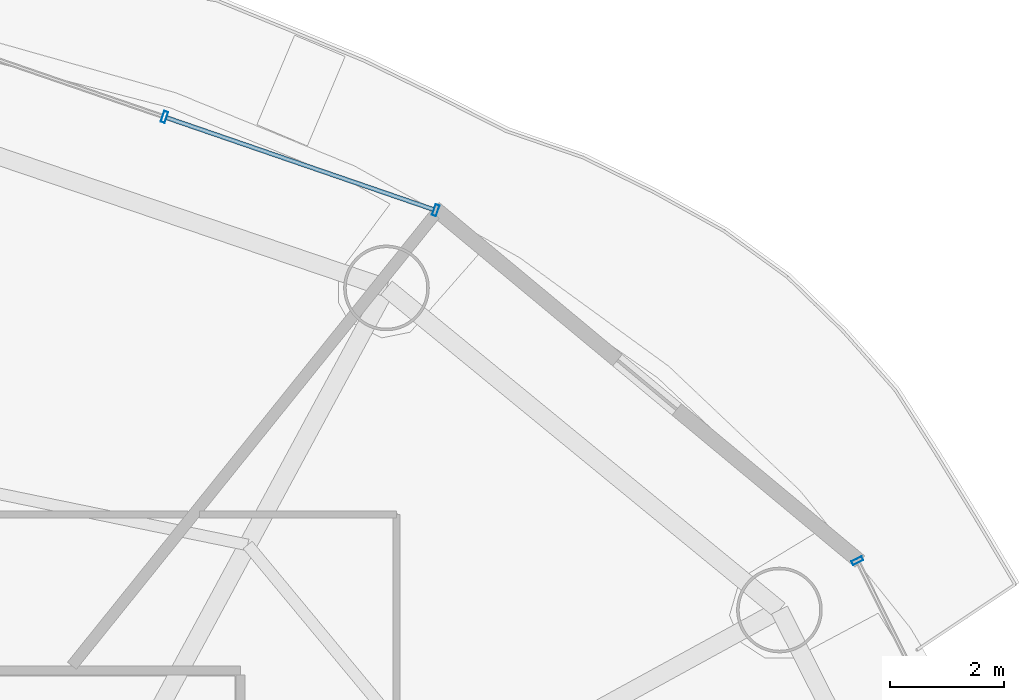
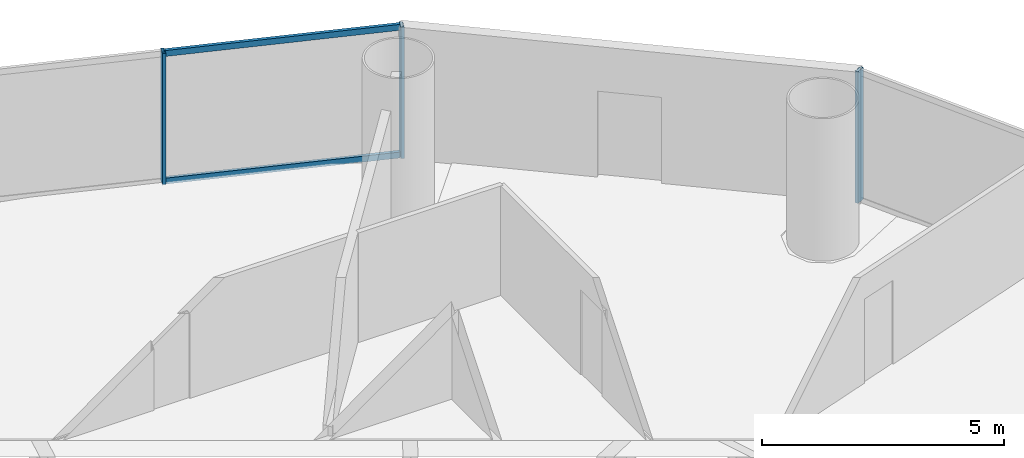
# One storey, part 20 of 29: 5 members, 2 elements without a shape of their own.
"""IFC4 building model written with IfcOpenShell, lengths in metres."""

from ifc_helpers import new_model, si_unit, direction, frame, origin, origin_2d, place, context, subcontext, project, spatial, hollow_rectangle, extrude, source, transform, mapped, material, material_profile, profile_set, type_object, element, aggregate, save


model = new_model("IFC4")

# Units and contexts
model_context = context("Model", 3, precision=1e-05, world=origin(), true_north=direction((-0.2419218956, 0.970295726276)))
body_context = subcontext(model_context, "Body", "Model", "MODEL_VIEW")
ifc_project = project(units=[si_unit("LENGTHUNIT", "METRE"), si_unit("AREAUNIT", "SQUARE_METRE"), si_unit("VOLUMEUNIT", "CUBIC_METRE"), si_unit("PLANEANGLEUNIT", "RADIAN"), si_unit("MASSUNIT", "GRAM", prefix="KILO")], contexts=[model_context])

# Site, building, storey
site_placement = place(None, origin())
site = spatial("IfcSite", under=ifc_project, at=site_placement, CompositionType="ELEMENT")
building_placement = place(site_placement, origin())
building = spatial("IfcBuilding", under=site, at=building_placement, Name="Cobrevalo Terracotta Tower", CompositionType="ELEMENT")
storey_placement = place(building_placement, frame((0.0, 0.0, 115.800048828125)))
storey = spatial("IfcBuildingStorey", under=building, at=storey_placement, Name="L30", CompositionType="ELEMENT", Elevation=115.800048828125)

# Curtain wall, member
ifc_material = material(Name="Anodized aluminium", Category="aluminium")
curtain_wall_type = type_object("IfcCurtainWallType", Name="Lower-tower unitised acoustic low-E curtain wall CW-U1", PredefinedType="NOTDEFINED", material=ifc_material)
curtain_wall_1_placement = place(storey_placement, origin())
curtain_wall_1 = element("IfcCurtainWall", 1, at=curtain_wall_1_placement, inside=storey, type_object=curtain_wall_type, Name="L30 curtain wall CW-L30-S01", PredefinedType="NOTDEFINED")
ifc_material_profile_1 = material_profile(ifc_material, hollow_rectangle(XDim=0.074951171875, YDim=0.199951171875, WallThickness=0.0048828125, at=origin_2d()), Name="CWM 75x200")
ifc_profile_set_1 = profile_set([ifc_material_profile_1], Name="Anodized aluminium")
member_type_1 = type_object("IfcMemberType", Name="Lower/mid tower unitised mullion 75x200", PredefinedType="MULLION", material=ifc_profile_set_1)
shared_shape_1 = source(origin(), body_context, "Body", "SweptSolid", [
    extrude(hollow_rectangle(XDim=0.074951171875, YDim=0.199951171875, WallThickness=0.0048828125, at=origin_2d()), origin(), (0.0, 0.0, 1.0), 3.324951171875),
])
member_1_placement = place(storey_placement, frame((60.110107421875, 39.025634765625, 0.0), z_axis=(0.0, 0.0, 1.0), x_axis=(-0.446260290227, 0.894903208937, 0.0)))
member_1 = element("IfcMember", 2, at=member_1_placement, type_object=member_type_1, Name="CW-L30-S01 vertical mullion 03", PredefinedType="MULLION", context=body_context, shape_type="MappedRepresentation", body=[
    mapped(shared_shape_1, transform((0.0, 0.0, 0.0), scale=1.0)),
])
aggregate(curtain_wall_1, [member_1])

# Curtain wall, members
curtain_wall_2_placement = place(storey_placement, origin())
curtain_wall_2 = element("IfcCurtainWall", 3, at=curtain_wall_2_placement, inside=storey, type_object=curtain_wall_type, Name="L30 curtain wall CW-L30-S03", PredefinedType="NOTDEFINED")
member_2_placement = place(storey_placement, frame((52.7236328125, 45.16357421875, 0.0), z_axis=(0.0, 0.0, 1.0), x_axis=(-0.94559809868, 0.325337110968, 0.0)))
member_2 = element("IfcMember", 4, at=member_2_placement, type_object=member_type_1, Name="CW-L30-S03 vertical mullion 01", PredefinedType="MULLION", context=body_context, shape_type="MappedRepresentation", body=[
    mapped(shared_shape_1, transform((0.0, 0.0, 0.0), scale=1.0)),
])
member_3_placement = place(storey_placement, frame((47.972412109375, 46.79833984375, 0.0), z_axis=(0.0, 0.0, 1.0), x_axis=(-0.94559809868, 0.325337110968, 0.0)))
member_3 = element("IfcMember", 5, at=member_3_placement, type_object=member_type_1, Name="CW-L30-S03 vertical mullion 02", PredefinedType="MULLION", context=body_context, shape_type="MappedRepresentation", body=[
    mapped(shared_shape_1, transform((0.0, 0.0, 0.0), scale=1.0)),
])
ifc_material_profile_2 = material_profile(ifc_material, hollow_rectangle(XDim=0.074951171875, YDim=0.14990234375, WallThickness=0.00439453125, at=origin_2d()), Name="CWT 75x150")
ifc_profile_set_2 = profile_set([ifc_material_profile_2], Name="Anodized aluminium")
member_type_2 = type_object("IfcMemberType", Name="Tower unitised aluminium transom 75x150", PredefinedType="USERDEFINED", material=ifc_profile_set_2)
shared_shape_2 = source(origin(), body_context, "Body", "SweptSolid", [
    extrude(hollow_rectangle(XDim=0.074951171875, YDim=0.14990234375, WallThickness=0.00439453125, at=origin_2d()), origin(), (0.0, 0.0, 1.0), 4.944580078125),
])
member_4_placement = place(storey_placement, frame((52.685791015625, 45.176513671875, 0.050048828125), z_axis=(-0.945597859971, 0.32533780478, 0.0), x_axis=(-0.32533780478, -0.945597859971, 0.0)))
member_4 = element("IfcMember", 6, at=member_4_placement, type_object=member_type_2, Name="CW-L30-S03 transom B01-T1", ObjectType="TRANSOM", PredefinedType="USERDEFINED", context=body_context, shape_type="MappedRepresentation", body=[
    mapped(shared_shape_2, transform((0.0, 0.0, 0.0), scale=1.0)),
])
member_5_placement = place(storey_placement, frame((52.685791015625, 45.176513671875, 3.27490234375), z_axis=(-0.945597859971, 0.32533780478, 0.0), x_axis=(-0.32533780478, -0.945597859971, 0.0)))
member_5 = element("IfcMember", 7, at=member_5_placement, type_object=member_type_2, Name="CW-L30-S03 transom B01-T2", ObjectType="TRANSOM", PredefinedType="USERDEFINED", context=body_context, shape_type="MappedRepresentation", body=[
    mapped(shared_shape_2, transform((0.0, 0.0, 0.0), scale=1.0)),
])
aggregate(curtain_wall_2, [member_2, member_3, member_4, member_5])

save(model, "model.ifc")
